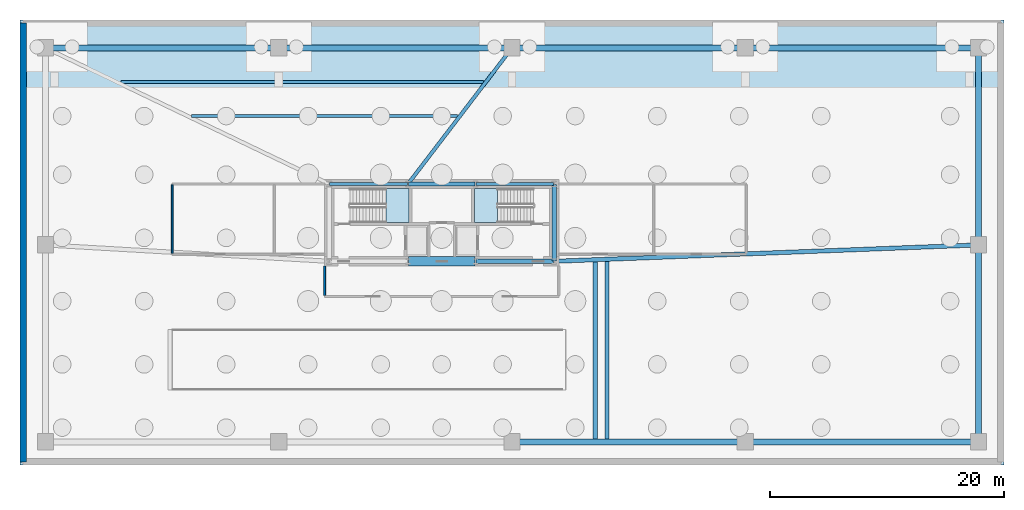
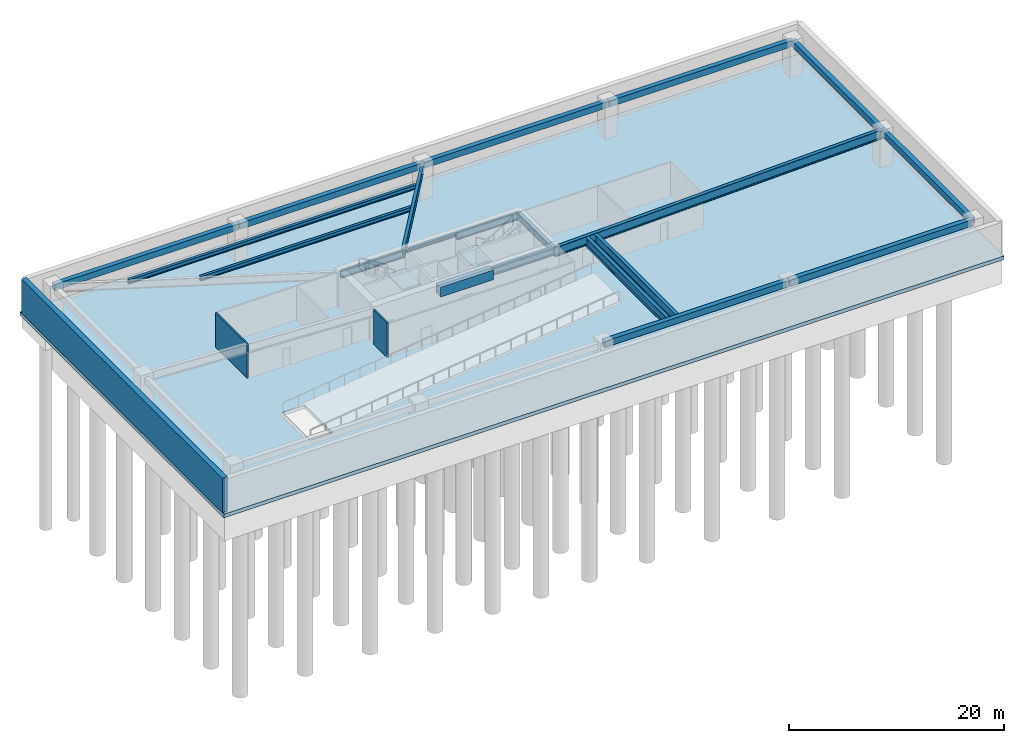
# One storey, part 2 of 8: 20 beams, 3 slabs, 3 walls, 2 elements without a shape of their own.
"""IFC4 building model written with IfcOpenShell, lengths in metres."""

from ifc_helpers import new_model, si_unit, direction, frame, frame_2d, origin, origin_2d, place, context, subcontext, project, spatial, polyline, rectangle, i_section, outline, extrude, source, transform, mapped, material, layer, layer_set, material_profile, profile_set, type_object, type_shapes, element, aggregate, save


model = new_model("IFC4")

# Units and contexts
model_context = context("Model", 3, precision=1e-05, world=origin(), true_north=direction((0.0, 1.0)))
body_context = subcontext(model_context, "Body", "Model", "MODEL_VIEW")
ifc_project = project(units=[si_unit("LENGTHUNIT", "METRE"), si_unit("AREAUNIT", "SQUARE_METRE"), si_unit("VOLUMEUNIT", "CUBIC_METRE"), si_unit("PLANEANGLEUNIT", "RADIAN"), si_unit("MASSUNIT", "GRAM", prefix="KILO")], contexts=[model_context])

# Site, building, storey
site_placement = place(None, origin())
site = spatial("IfcSite", under=ifc_project, at=site_placement, CompositionType="ELEMENT")
building_placement = place(site_placement, origin())
building = spatial("IfcBuilding", under=site, at=building_placement, Name="Astriad Promenade Condominiums", CompositionType="ELEMENT")
storey_placement = place(building_placement, frame((0.0, 0.0, -8.39990234375)))
storey = spatial("IfcBuildingStorey", under=building, at=storey_placement, Name="B02", CompositionType="ELEMENT", Elevation=-8.39990234375)

# Beams
ifc_material_1 = material(Name="Steel ASTM A992 Grade 50", Category="steel")
ifc_material_profile_1 = material_profile(ifc_material_1, i_section(OverallWidth=0.3837890625, OverallDepth=0.785888671875, WebThickness=0.019775390625, FlangeThickness=0.033447265625, FilletRadius=0.021484375, at=origin_2d()), Name="W30X211")
ifc_profile_set_1 = profile_set([ifc_material_profile_1], Name="Steel ASTM A992 Grade 50")
beam_type_1 = type_object("IfcBeamType", Name="STEEL FLOOR GIRDER W30X211", PredefinedType="BEAM", material=ifc_profile_set_1)
shared_shape_1 = source(origin(), body_context, "Body", "SweptSolid", [
    extrude(i_section(OverallWidth=0.3837890625, OverallDepth=0.785888671875, WebThickness=0.019775390625, FlangeThickness=0.033447265625, FilletRadius=0.021484375, at=origin_2d()), origin(), (0.0, 0.0, 1.0), 6.64013671875),
])
type_shapes(beam_type_1, [shared_shape_1])
beam_1_placement = place(storey_placement, frame((38.919921875, 17.39990234375, 3.507080078125), z_axis=(1.0, 0.0, 0.0), x_axis=(0.0, 1.0, 0.0)))
element("IfcBeam", 1, at=beam_1_placement, inside=storey, type_object=beam_type_1, Name="Core Ring Beam CG-S3-B02", PredefinedType="BEAM", context=body_context, shape_type="MappedRepresentation", body=[
    mapped(shared_shape_1, transform((0.0, 0.0, 0.0), scale=1.0)),
])
ifc_material_2 = material(Name="Concrete C80/95", Category="concrete")
ifc_material_profile_2 = material_profile(ifc_material_2, rectangle(XDim=0.800048828125, YDim=1.10009765625, at=origin_2d()), Name="RC-BM-800X1100")
ifc_profile_set_2 = profile_set([ifc_material_profile_2], Name="Concrete C80/95")
beam_type_2 = type_object("IfcBeamType", Name="CONCRETE CORE COUPLING LINTEL 800X1100", PredefinedType="LINTEL", material=ifc_profile_set_2)
shared_shape_2 = source(origin(), body_context, "Body", "SweptSolid", [
    extrude(rectangle(XDim=0.800048828125, YDim=1.10009765625, at=origin_2d()), origin(), (0.0, 0.0, 1.0), 5.68017578125),
])
type_shapes(beam_type_2, [shared_shape_2])
beam_2_placement = place(storey_placement, frame((33.159912109375, 17.39990234375, 3.349853515625), z_axis=(1.0, 0.0, 0.0), x_axis=(0.0, 1.0, 0.0)))
element("IfcBeam", 2, at=beam_2_placement, inside=storey, type_object=beam_type_2, Name="Core Ring Beam CG-S2-B02", PredefinedType="LINTEL", context=body_context, shape_type="MappedRepresentation", body=[
    mapped(shared_shape_2, transform((0.0, 0.0, 0.0), scale=1.0)),
])
ifc_material_profile_3 = material_profile(ifc_material_1, i_section(OverallWidth=0.267822265625, OverallDepth=0.76953125, WebThickness=0.015625, FlangeThickness=0.025390625, FilletRadius=0.021484375, at=origin_2d()), Name="W30X132")
ifc_profile_set_3 = profile_set([ifc_material_profile_3], Name="Steel ASTM A992 Grade 50")
beam_type_3 = type_object("IfcBeamType", Name="STEEL FLOOR GIRDER W30X132", PredefinedType="BEAM", material=ifc_profile_set_3)
shared_shape_3 = source(origin(), body_context, "Body", "SweptSolid", [
    extrude(i_section(OverallWidth=0.267822265625, OverallDepth=0.76953125, WebThickness=0.015625, FlangeThickness=0.025390625, FilletRadius=0.021484375, at=origin_2d()), origin(), (0.0, 0.0, 1.0), 6.64013671875),
])
type_shapes(beam_type_3, [shared_shape_3])
for number, where, z_axis, x_axis, name in (
    (3, (26.43994140625, 24.0, 3.51513671875), (1.0, 0.0, 0.0), (0.0, 1.0, 0.0), "Core Ring Beam CG-N1-B02"),
    (4, (38.919921875, 24.0, 3.51513671875), (1.0, 0.0, 0.0), (0.0, 1.0, 0.0), "Core Ring Beam CG-N3-B02"),
):
    element("IfcBeam", number, at=place(storey_placement, frame(where, z_axis=z_axis, x_axis=x_axis)), inside=storey, type_object=beam_type_3, Name=name, PredefinedType="BEAM", context=body_context, shape_type="MappedRepresentation", body=[
        mapped(shared_shape_3, transform((0.0, 0.0, 0.0), scale=1.0)),
    ])
ifc_material_profile_4 = material_profile(ifc_material_1, i_section(OverallWidth=0.3046875, OverallDepth=0.307861328125, WebThickness=0.010009765625, FlangeThickness=0.015380859375, FilletRadius=0.01513671875, at=origin_2d()), Name="W12X65")
ifc_profile_set_4 = profile_set([ifc_material_profile_4], Name="Steel ASTM A992 Grade 50")
beam_type_4 = type_object("IfcBeamType", Name="STEEL OPENING LINTEL W12X65", PredefinedType="LINTEL", material=ifc_profile_set_4)
shared_shape_4 = source(origin(), body_context, "Body", "SweptSolid", [
    extrude(i_section(OverallWidth=0.3046875, OverallDepth=0.307861328125, WebThickness=0.010009765625, FlangeThickness=0.015380859375, FilletRadius=0.01513671875, at=origin_2d()), origin(), (0.0, 0.0, 1.0), 5.68017578125),
])
type_shapes(beam_type_4, [shared_shape_4])
beam_3_placement = place(storey_placement, frame((33.159912109375, 24.0, 3.74609375), z_axis=(1.0, 0.0, 0.0), x_axis=(0.0, 1.0, 0.0)))
element("IfcBeam", 5, at=beam_3_placement, inside=storey, type_object=beam_type_4, Name="Core Ring Beam CG-N2-B02", PredefinedType="LINTEL", context=body_context, shape_type="MappedRepresentation", body=[
    mapped(shared_shape_4, transform((0.0, 0.0, 0.0), scale=1.0)),
])
ifc_material_profile_5 = material_profile(ifc_material_1, i_section(OverallWidth=0.35791015625, OverallDepth=0.706298828125, WebThickness=0.018310546875, FlangeThickness=0.0302734375, FilletRadius=0.020263671875, at=origin_2d()), Name="W27X178")
ifc_profile_set_5 = profile_set([ifc_material_profile_5], Name="Steel ASTM A992 Grade 50")
beam_type_5 = type_object("IfcBeamType", Name="STEEL FLOOR GIRDER W27X178", PredefinedType="BEAM", material=ifc_profile_set_5)
shared_shape_5 = source(origin(), body_context, "Body", "SweptSolid", [
    extrude(i_section(OverallWidth=0.35791015625, OverallDepth=0.706298828125, WebThickness=0.018310546875, FlangeThickness=0.0302734375, FilletRadius=0.020263671875, at=origin_2d()), origin(), (0.0, 0.0, 1.0), 6.52001953125),
])
type_shapes(beam_type_5, [shared_shape_5])
beam_4_placement = place(storey_placement, frame((45.60009765625, 17.43994140625, 3.546630859375), z_axis=(0.0, 1.0, 0.0), x_axis=(-1.0, 0.0, 0.0)))
element("IfcBeam", 6, at=beam_4_placement, inside=storey, type_object=beam_type_5, Name="Core Ring Beam CG-E1-B02", PredefinedType="BEAM", context=body_context, shape_type="MappedRepresentation", body=[
    mapped(shared_shape_5, transform((0.0, 0.0, 0.0), scale=1.0)),
])
ifc_material_3 = material(Name="Concrete C50/60", Category="concrete")
ifc_material_profile_6 = material_profile(ifc_material_3, rectangle(XDim=0.5, YDim=0.699951171875, at=origin_2d()), Name="RC-BM-500X700")
ifc_profile_set_6 = profile_set([ifc_material_profile_6], Name="Concrete C50/60")
beam_type_6 = type_object("IfcBeamType", Name="CONCRETE BASEMENT BEAM 500X700", PredefinedType="BEAM", material=ifc_profile_set_6)
shared_shape_6 = source(origin(), body_context, "Body", "SweptSolid", [
    extrude(rectangle(XDim=0.5, YDim=0.699951171875, at=origin_2d()), origin(), (0.0, 0.0, 1.0), 19.830078125),
])
for number, where, z_axis, x_axis, name in (
    (7, (42.0400390625, 1.97998046875, 3.5498046875), (1.0, 0.0, 0.0), (0.0, 1.0, 0.0), "Perimeter Spandrel Beam SP-S3-B02"),
    (8, (61.949951171875, 1.97998046875, 3.5498046875), (1.0, 0.0, 0.0), (0.0, 1.0, 0.0), "Perimeter Spandrel Beam SP-S4-B02"),
    (9, (81.780029296875, 35.6201171875, 3.5498046875), (-1.0, 0.0, 0.0), (0.0, -1.0, 0.0), "Perimeter Spandrel Beam SP-N4-B02"),
    (10, (61.8701171875, 35.6201171875, 3.5498046875), (-1.0, 0.0, 0.0), (0.0, -1.0, 0.0), "Perimeter Spandrel Beam SP-N3-B02"),
    (11, (41.9599609375, 35.6201171875, 3.5498046875), (-1.0, 0.0, 0.0), (0.0, -1.0, 0.0), "Perimeter Spandrel Beam SP-N2-B02"),
    (12, (22.050048828125, 35.6201171875, 3.5498046875), (-1.0, 0.0, 0.0), (0.0, -1.0, 0.0), "Perimeter Spandrel Beam SP-N1-B02"),
):
    element("IfcBeam", number, at=place(storey_placement, frame(where, z_axis=z_axis, x_axis=x_axis)), inside=storey, type_object=beam_type_6, Name=name, PredefinedType="BEAM", context=body_context, shape_type="MappedRepresentation", body=[
        mapped(shared_shape_6, transform((0.0, 0.0, 0.0), scale=1.0)),
    ])
shared_shape_7 = source(origin(), body_context, "Body", "SweptSolid", [
    extrude(rectangle(XDim=0.5, YDim=0.699951171875, at=origin_2d()), origin(), (0.0, 0.0, 1.0), 16.739990234375),
])
type_shapes(beam_type_6, [shared_shape_6, shared_shape_7])
for number, where, z_axis, x_axis, name in (
    (13, (81.820068359375, 2.02001953125, 3.5498046875), (0.0, 1.0, 0.0), (-1.0, 0.0, 0.0), "Perimeter Spandrel Beam SP-E1-B02"),
    (14, (81.820068359375, 18.840087890625, 3.5498046875), (0.0, 1.0, 0.0), (-1.0, 0.0, 0.0), "Perimeter Spandrel Beam SP-E2-B02"),
):
    element("IfcBeam", number, at=place(storey_placement, frame(where, z_axis=z_axis, x_axis=x_axis)), inside=storey, type_object=beam_type_6, Name=name, PredefinedType="BEAM", context=body_context, shape_type="MappedRepresentation", body=[
        mapped(shared_shape_7, transform((0.0, 0.0, 0.0), scale=1.0)),
    ])
ifc_material_profile_7 = material_profile(ifc_material_1, i_section(OverallWidth=0.361083984375, OverallDepth=1.025634765625, WebThickness=0.01904296875, FlangeThickness=0.0361328125, FilletRadius=0.025390625, at=origin_2d()), Name="W40X249")
ifc_profile_set_7 = profile_set([ifc_material_profile_7], Name="Steel ASTM A992 Grade 50")
beam_type_7 = type_object("IfcBeamType", Name="STEEL PODIUM GIRDER W40X249", PredefinedType="BEAM", material=ifc_profile_set_7)
shared_shape_8 = source(origin(), body_context, "Body", "SweptSolid", [
    extrude(i_section(OverallWidth=0.361083984375, OverallDepth=1.025634765625, WebThickness=0.01904296875, FlangeThickness=0.0361328125, FilletRadius=0.025390625, at=origin_2d()), origin(), (0.0, 0.0, 1.0), 36.167236328125),
])
beam_5_placement = place(storey_placement, frame((81.780029296875, 18.798583984375, 3.386962890625), z_axis=(-0.999253757657, -0.03862548133, 0.0), x_axis=(0.03862548133, -0.999253757657, 0.0)))
element("IfcBeam", 15, at=beam_5_placement, inside=storey, type_object=beam_type_7, Name="Primary Floor Girder PG-EM-B02", PredefinedType="BEAM", context=body_context, shape_type="MappedRepresentation", body=[
    mapped(shared_shape_8, transform((0.0, 0.0, 0.0), scale=1.0)),
])
ifc_material_profile_8 = material_profile(ifc_material_1, i_section(OverallWidth=0.307861328125, OverallDepth=0.9267578125, WebThickness=0.019287109375, FlangeThickness=0.031982421875, FilletRadius=0.024169921875, at=origin_2d()), Name="W36X194")
ifc_profile_set_8 = profile_set([ifc_material_profile_8], Name="Steel ASTM A992 Grade 50")
beam_type_8 = type_object("IfcBeamType", Name="STEEL PRIMARY GIRDER W36X194", PredefinedType="BEAM", material=ifc_profile_set_8)
shared_shape_9 = source(origin(), body_context, "Body", "SweptSolid", [
    extrude(i_section(OverallWidth=0.307861328125, OverallDepth=0.9267578125, WebThickness=0.019287109375, FlangeThickness=0.031982421875, FilletRadius=0.024169921875, at=origin_2d()), origin(), (0.0, 0.0, 1.0), 14.54443359375),
])
type_shapes(beam_type_8, [shared_shape_9])
beam_6_placement = place(storey_placement, frame((41.9755859375, 35.588134765625, 3.4365234375), z_axis=(-0.607192131568, -0.794555042374, 0.0), x_axis=(0.794555042374, -0.607192131568, 0.0)))
element("IfcBeam", 16, at=beam_6_placement, inside=storey, type_object=beam_type_8, Name="Primary Floor Girder PG-NC-B02", PredefinedType="BEAM", context=body_context, shape_type="MappedRepresentation", body=[
    mapped(shared_shape_9, transform((0.0, 0.0, 0.0), scale=1.0)),
])
ifc_material_profile_9 = material_profile(ifc_material_1, i_section(OverallWidth=0.283203125, OverallDepth=0.47216796875, WebThickness=0.013671875, FlangeThickness=0.022216796875, FilletRadius=0.01513671875, at=origin_2d()), Name="W18X97")
ifc_profile_set_9 = profile_set([ifc_material_profile_9], Name="Steel ASTM A992 Grade 50")
beam_type_9 = type_object("IfcBeamType", Name="STEEL FLOOR JOIST W18X97", PredefinedType="JOIST", material=ifc_profile_set_9)
shared_shape_10 = source(origin(), body_context, "Body", "SweptSolid", [
    extrude(i_section(OverallWidth=0.283203125, OverallDepth=0.47216796875, WebThickness=0.013671875, FlangeThickness=0.022216796875, FilletRadius=0.01513671875, at=origin_2d()), origin(), (0.0, 0.0, 1.0), 30.9755859375),
])
beam_7_placement = place(storey_placement, frame((8.600830078125, 32.715087890625, 3.663818359375), z_axis=(1.0, 0.0, 0.0), x_axis=(0.0, 1.0, 0.0)))
element("IfcBeam", 17, at=beam_7_placement, inside=storey, type_object=beam_type_9, Name="Secondary Composite Floor Joist JNW-1-B02", PredefinedType="JOIST", context=body_context, shape_type="MappedRepresentation", body=[
    mapped(shared_shape_10, transform((0.0, 0.0, 0.0), scale=1.0)),
])
shared_shape_11 = source(origin(), body_context, "Body", "SweptSolid", [
    extrude(i_section(OverallWidth=0.283203125, OverallDepth=0.47216796875, WebThickness=0.013671875, FlangeThickness=0.022216796875, FilletRadius=0.01513671875, at=origin_2d()), origin(), (0.0, 0.0, 1.0), 22.700439453125),
])
type_shapes(beam_type_9, [shared_shape_10, shared_shape_11])
beam_8_placement = place(storey_placement, frame((14.65576171875, 29.81005859375, 3.663818359375), z_axis=(1.0, 0.0, 0.0), x_axis=(0.0, 1.0, 0.0)))
element("IfcBeam", 18, at=beam_8_placement, inside=storey, type_object=beam_type_9, Name="Secondary Composite Floor Joist JNW-2-B02", PredefinedType="JOIST", context=body_context, shape_type="MappedRepresentation", body=[
    mapped(shared_shape_11, transform((0.0, 0.0, 0.0), scale=1.0)),
])
shared_shape_12 = source(origin(), body_context, "Body", "SweptSolid", [
    extrude(i_section(OverallWidth=0.361083984375, OverallDepth=1.025634765625, WebThickness=0.01904296875, FlangeThickness=0.0361328125, FilletRadius=0.025390625, at=origin_2d()), origin(), (0.0, 0.0, 1.0), 15.0849609375),
])
beam_9_placement = place(storey_placement, frame((49.10009765625, 2.239990234375, 3.386962890625), z_axis=(0.0, 1.0, 0.0), x_axis=(-1.0, 0.0, 0.0)))
element("IfcBeam", 19, at=beam_9_placement, inside=storey, type_object=beam_type_7, Name="Ramp Toe Support Girder RBM-VR2-1-B02", PredefinedType="BEAM", context=body_context, shape_type="MappedRepresentation", body=[
    mapped(shared_shape_12, transform((0.0, 0.0, 0.0), scale=1.0)),
])
shared_shape_13 = source(origin(), body_context, "Body", "SweptSolid", [
    extrude(i_section(OverallWidth=0.361083984375, OverallDepth=1.025634765625, WebThickness=0.01904296875, FlangeThickness=0.0361328125, FilletRadius=0.025390625, at=origin_2d()), origin(), (0.0, 0.0, 1.0), 15.1240234375),
])
type_shapes(beam_type_7, [shared_shape_8, shared_shape_12, shared_shape_13])
beam_10_placement = place(storey_placement, frame((50.10009765625, 2.239990234375, 3.386962890625), z_axis=(0.0, 1.0, 0.0), x_axis=(-1.0, 0.0, 0.0)))
element("IfcBeam", 20, at=beam_10_placement, inside=storey, type_object=beam_type_7, Name="Ramp Toe Support Girder RBM-VR2-2-B02", PredefinedType="BEAM", context=body_context, shape_type="MappedRepresentation", body=[
    mapped(shared_shape_13, transform((0.0, 0.0, 0.0), scale=1.0)),
])

# Slab
ifc_layer_1 = layer(ifc_material_3, 0.419921875)
ifc_layer_set_1 = layer_set([ifc_layer_1], Name="Concrete C50/60")
slab_type_1 = type_object("IfcSlabType", Name="CONCRETE BASEMENT BASE SLAB 420", PredefinedType="BASESLAB", material=ifc_layer_set_1)
slab_1_placement = place(storey_placement, frame((0.0, 0.0, -0.420166015625)))
element("IfcSlab", 21, at=slab_1_placement, inside=storey, type_object=slab_type_1, Name="Structural Floor Slab (B02)", PredefinedType="BASESLAB", context=body_context, shape_type="SweptSolid", body=[
    extrude(outline(polyline([(0.0, 0.0), (84.0, 0.0), (84.0, 38.0), (0.0, 38.0), (0.0, 0.0)]), holes=[polyline([(13.0, 6.39990234375), (15.419921875, 6.39990234375), (15.419921875, 11.60009765625), (13.0, 11.60009765625), (13.0, 6.39990234375)])]), origin(), (0.0, 0.0, 1.0), 0.420166015625),
])

# Stair, slab
stair_type = type_object("IfcStairType", Name="STR-CORE-1350", PredefinedType="HALF_TURN_STAIR", material=ifc_material_3)
stair_1_placement = place(storey_placement, origin())
stair_1 = element("IfcStair", 22, at=stair_1_placement, inside=storey, type_object=stair_type, Name="B02 Enclosed Core Exit Stair ST-1", PredefinedType="HALF_TURN_STAIR")
ifc_layer_2 = layer(ifc_material_3, 0.219970703125)
ifc_layer_set_2 = layer_set([ifc_layer_2], Name="Concrete C50/60")
slab_type_2 = type_object("IfcSlabType", Name="SLB-LANDING-220", PredefinedType="LANDING", material=ifc_layer_set_2)
slab_2_placement = place(storey_placement, frame((0.0, 0.0, 1.89990234375)))
slab_2 = element("IfcSlab", 23, at=slab_2_placement, type_object=slab_type_2, Name="ST-1 landing 1", PredefinedType="LANDING", context=body_context, shape_type="SweptSolid", body=[
    extrude(outline(polyline([(31.22998046875, 20.699951171875), (33.199951171875, 20.699951171875), (33.199951171875, 23.60009765625), (31.22998046875, 23.60009765625), (31.22998046875, 20.699951171875)])), origin(), (0.0, 0.0, 1.0), 0.199951171875),
])
aggregate(stair_1, [slab_2])

stair_2_placement = place(storey_placement, origin())
stair_2 = element("IfcStair", 24, at=stair_2_placement, inside=storey, type_object=stair_type, Name="B02 Enclosed Core Exit Stair ST-2", PredefinedType="HALF_TURN_STAIR")
slab_3_placement = place(storey_placement, frame((0.0, 0.0, 1.89990234375)))
slab_3 = element("IfcSlab", 25, at=slab_3_placement, type_object=slab_type_2, Name="ST-2 landing 1", PredefinedType="LANDING", context=body_context, shape_type="SweptSolid", body=[
    extrude(outline(polyline([(40.77001953125, 23.60009765625), (38.800048828125, 23.60009765625), (38.800048828125, 20.699951171875), (40.77001953125, 20.699951171875), (40.77001953125, 23.60009765625)])), origin(), (0.0, 0.0, 1.0), 0.199951171875),
])
aggregate(stair_2, [slab_3])

# Walls
ifc_material_4 = material(Name="Fire-Rated Gypsum Partition")
ifc_layer_3 = layer(ifc_material_4, 0.159912109375)
ifc_layer_set_3 = layer_set([ifc_layer_3], Name="Fire-Rated Gypsum Partition")
wall_type_1 = type_object("IfcWallType", Name="WALL-CORR-160", PredefinedType="PARTITIONING", material=ifc_layer_set_3)
wall_1_placement = place(storey_placement, frame((26.0, 14.48193359375, 0.0), z_axis=(0.0, 0.0, 1.0), x_axis=(0.0, 1.0, 0.0)))
element("IfcWall", 26, at=wall_1_placement, inside=storey, type_object=wall_type_1, Name="PT-B02-VLOB-W", PredefinedType="PARTITIONING", context=body_context, shape_type="SweptSolid", body=[
    extrude(rectangle(XDim=2.51611328125, YDim=0.159912109375, at=frame_2d((1.258056640625, 0.0))), origin(), (0.0, 0.0, 1.0), 3.89990234375),
])
wall_2_placement = place(storey_placement, frame((13.0, 18.08203125, 0.0), z_axis=(0.0, 0.0, 1.0), x_axis=(0.0, 1.0, 0.0)))
element("IfcWall", 27, at=wall_2_placement, inside=storey, type_object=wall_type_1, Name="PT-B02-WC-W", PredefinedType="PARTITIONING", context=body_context, shape_type="SweptSolid", body=[
    extrude(rectangle(XDim=5.8359375, YDim=0.159912109375, at=frame_2d((2.91796875, 0.0))), origin(), (0.0, 0.0, 1.0), 3.89990234375),
])
ifc_layer_4 = layer(ifc_material_3, 0.550048828125)
ifc_layer_set_4 = layer_set([ifc_layer_4], Name="Concrete C50/60")
wall_type_2 = type_object("IfcWallType", Name="WALL-RET-550", PredefinedType="SOLIDWALL", material=ifc_layer_set_4)
wall_3_placement = place(storey_placement, frame((0.27490234375, 0.27490234375, 0.0), z_axis=(0.0, 0.0, 1.0), x_axis=(0.0, 1.0, 0.0)))
element("IfcWall", 28, at=wall_3_placement, inside=storey, type_object=wall_type_2, Name="W-RET-B02-1", PredefinedType="SOLIDWALL", context=body_context, shape_type="SweptSolid", body=[
    extrude(rectangle(XDim=37.4501953125, YDim=0.550048828125, at=frame_2d((18.72509765625, 0.0))), origin(), (0.0, 0.0, 1.0), 3.89990234375),
])

save(model, "model.ifc")
